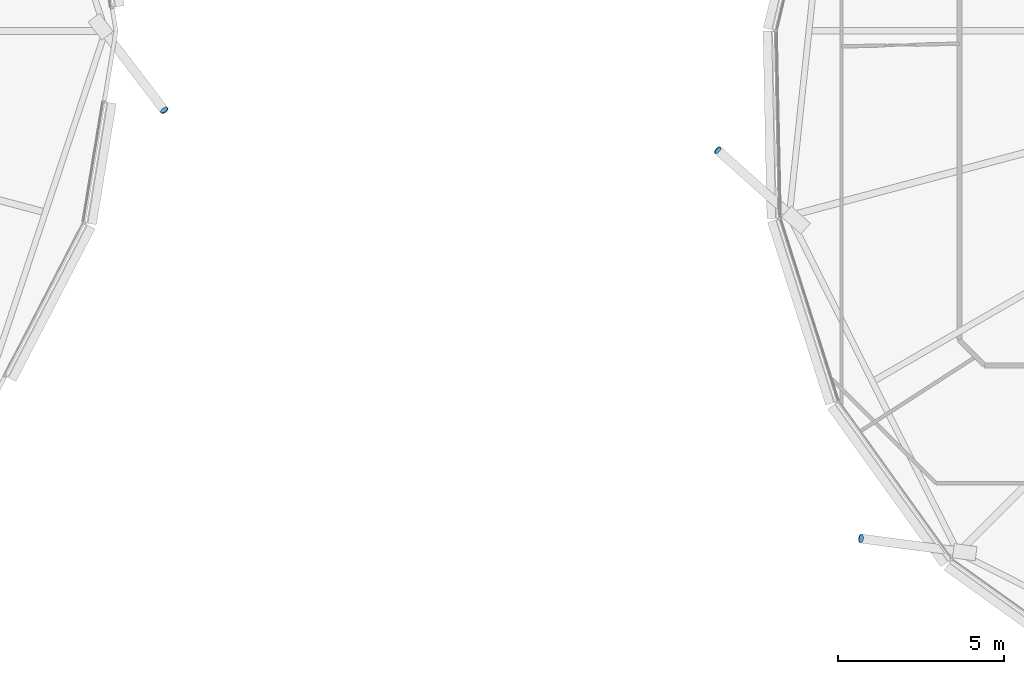
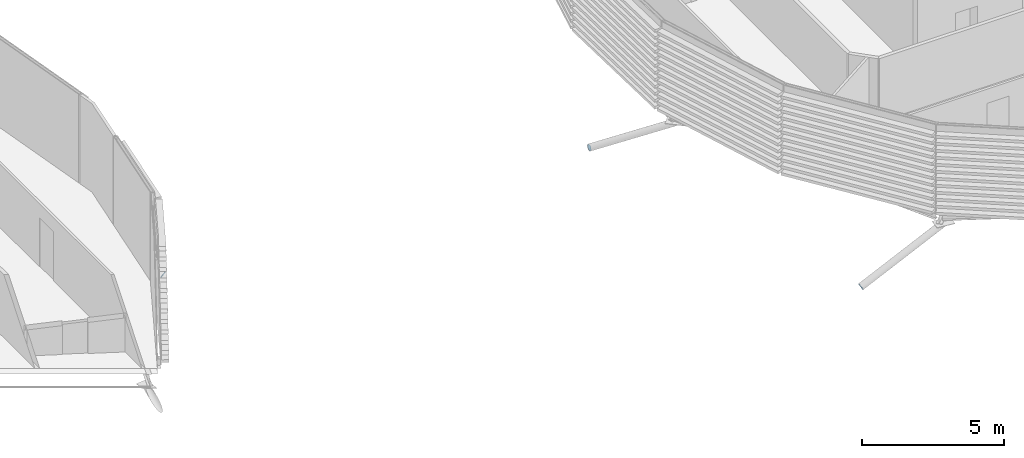
# One storey, part 27 of 37: 3 discrete accessories.
"""IFC4 building model written with IfcOpenShell, lengths in metres."""

from ifc_helpers import new_model, si_unit, direction, frame, origin, origin_2d, place, context, subcontext, project, spatial, circle, extrude, material, material_profile, profile_set, type_object, element, save


model = new_model("IFC4")

# Units and contexts
model_context = context("Model", 3, precision=1e-05, world=origin(), true_north=direction((0.0, 1.0)))
body_context = subcontext(model_context, "Body", "Model", "MODEL_VIEW")
ifc_project = project(units=[si_unit("LENGTHUNIT", "METRE"), si_unit("AREAUNIT", "SQUARE_METRE"), si_unit("VOLUMEUNIT", "CUBIC_METRE"), si_unit("PLANEANGLEUNIT", "RADIAN"), si_unit("MASSUNIT", "GRAM", prefix="KILO")], contexts=[model_context])

# Site, building, storey
site_placement = place(None, origin())
site = spatial("IfcSite", under=ifc_project, at=site_placement, CompositionType="ELEMENT")
building_placement = place(site_placement, origin())
building = spatial("IfcBuilding", under=site, at=building_placement, Name="Rimbun Link Towers", CompositionType="ELEMENT")
storey_placement = place(building_placement, frame((0.0, 0.0, 166.5)))
storey = spatial("IfcBuildingStorey", under=building, at=storey_placement, Name="L40", CompositionType="ELEMENT", Elevation=166.5)

# Discrete accessories
ifc_material = material(Name="Steel S355J2H", Category="steel")
ifc_material_profile = material_profile(ifc_material, circle(Radius=0.1240234375, at=origin_2d()), Name="PL D248")
ifc_profile_set = profile_set([ifc_material_profile], Name="Steel S355J2H")
discrete_accessory_type = type_object("IfcDiscreteAccessoryType", Name="Link foot sealing plate D248X20", PredefinedType="BRACKET", material=ifc_profile_set)
for number, where, z_axis, x_axis, name in (
    (1, (-7.806884765625, -2.381591796875, -2.62890625), (0.514495755428, -0.68599434057, -0.514495755428), (0.8, 0.6, 0.0), "Link foot sealing plate T1 L40 00"),
    (2, (8.8408203125, -3.59375, -2.26318359375), (-0.66721831481, 0.594430862285, -0.448855957236), (-0.665206042149, -0.746659843228, 0.0), "Link foot sealing plate T2 L40 10"),
    (3, (13.1474609375, -15.26123046875, -2.665283203125), (-0.843535910417, 0.110026423098, -0.525681799245), (-0.129339184068, -0.991600411186, 0.0), "Link foot sealing plate T2 L40 12"),
):
    element("IfcDiscreteAccessory", number, at=place(storey_placement, frame(where, z_axis=z_axis, x_axis=x_axis)), inside=storey, type_object=discrete_accessory_type, Name=name, PredefinedType="BRACKET", context=body_context, shape_type="SweptSolid", body=[
        extrude(circle(Radius=0.1240234375, at=origin_2d()), origin(), (0.0, 0.0, 1.0), 0.02001953125),
    ])

save(model, "model.ifc")
